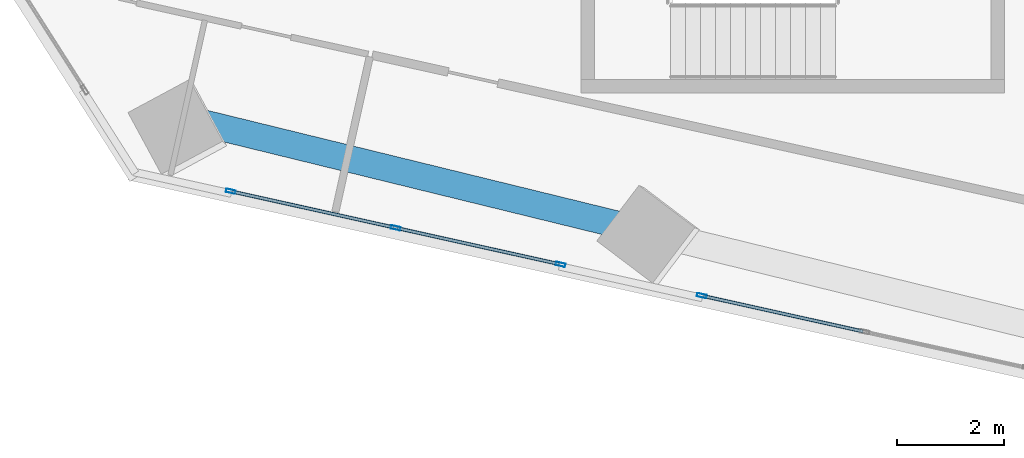
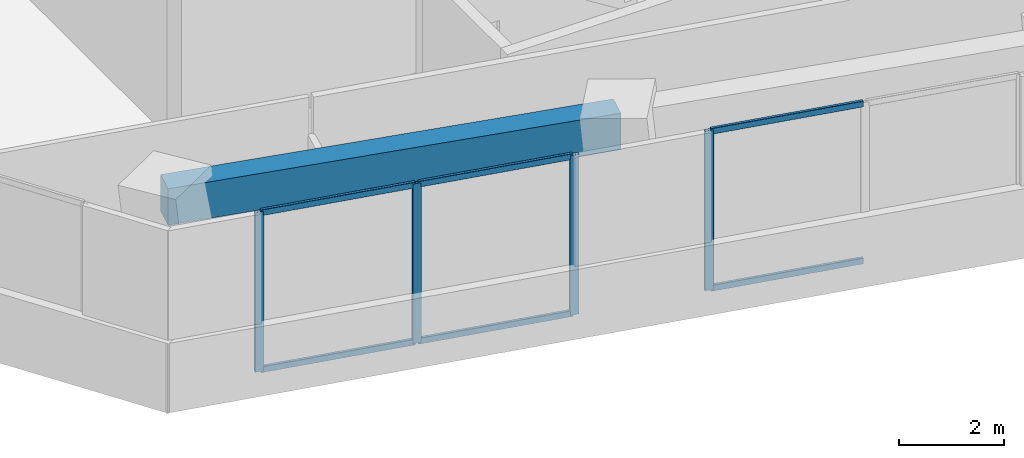
# One storey, part 2 of 25: 10 members, 1 beam, 2 elements without a shape of their own.
"""IFC4 building model written with IfcOpenShell, lengths in metres."""

from ifc_helpers import new_model, si_unit, direction, frame, origin, origin_2d, place, context, subcontext, project, spatial, rectangle, hollow_rectangle, extrude, source, transform, mapped, material, material_profile, profile_set, type_object, element, aggregate, save


model = new_model("IFC4")

# Units and contexts
model_context = context("Model", 3, precision=1e-05, world=origin(), true_north=direction((0.0, 1.0)))
body_context = subcontext(model_context, "Body", "Model", "MODEL_VIEW")
ifc_project = project(units=[si_unit("LENGTHUNIT", "METRE"), si_unit("AREAUNIT", "SQUARE_METRE"), si_unit("VOLUMEUNIT", "CUBIC_METRE"), si_unit("PLANEANGLEUNIT", "RADIAN"), si_unit("MASSUNIT", "GRAM", prefix="KILO")], contexts=[model_context])

# Site, building, storey
site_placement = place(None, origin())
site = spatial("IfcSite", under=ifc_project, at=site_placement, CompositionType="ELEMENT")
building_placement = place(site_placement, origin())
building = spatial("IfcBuilding", under=site, at=building_placement, Name="Torre Montelarca", CompositionType="ELEMENT")
storey_placement = place(building_placement, frame((0.0, 0.0, 91.60009765625)))
storey = spatial("IfcBuildingStorey", under=building, at=storey_placement, Name="L20", CompositionType="ELEMENT", Elevation=91.60009765625)

# Beam
ifc_material_1 = material(Name="Concrete C55/67", Category="concrete")
ifc_material_profile_1 = material_profile(ifc_material_1, rectangle(XDim=0.5, YDim=0.85009765625, at=origin_2d()), Name="RCB500X850", Category="concrete")
ifc_profile_set_1 = profile_set([ifc_material_profile_1], Name="Concrete C55/67")
beam_type = type_object("IfcBeamType", Name="BM-SP-RC850-EXT", PredefinedType="SPANDREL", material=ifc_profile_set_1)
shared_shape_1 = source(origin(), body_context, "Body", "SweptSolid", [
    extrude(rectangle(XDim=0.5, YDim=0.85009765625, at=origin_2d()), origin(), (0.0, 0.0, 1.0), 9.0),
])
beam_placement = place(storey_placement, frame((5.27001953125, 18.263916015625, 3.534912109375), z_axis=(0.97134308347, -0.237681749815, 0.0), x_axis=(0.237681749815, 0.97134308347, 0.0)))
element("IfcBeam", 1, at=beam_placement, inside=storey, type_object=beam_type, Name="L20 Grid Girder X 9.0-18.0 at Y=14.8", PredefinedType="SPANDREL", context=body_context, shape_type="MappedRepresentation", body=[
    mapped(shared_shape_1, transform((0.0, 0.0, 0.0), scale=1.0)),
])

# Curtain wall, members
ifc_material_2 = material(Name="Insulated low-E laminated glass", Category="glass")
curtain_wall_type = type_object("IfcCurtainWallType", Name="CW-SYS-Z1", PredefinedType="USERDEFINED", material=ifc_material_2)
curtain_wall_1_placement = place(storey_placement, origin())
curtain_wall_1 = element("IfcCurtainWall", 2, at=curtain_wall_1_placement, inside=storey, type_object=curtain_wall_type, Name="L20 Curtain Wall Run CW-T3-L20-E01-B1", ObjectType="UNITISED GLAZING", PredefinedType="USERDEFINED")
ifc_material_3 = material(Name="Anodised aluminium AA 6063-T6", Category="aluminium")
ifc_material_profile_2 = material_profile(ifc_material_3, hollow_rectangle(XDim=0.06494140625, YDim=0.139892578125, WallThickness=0.00390625, InnerFilletRadius=0.00390625, OuterFilletRadius=0.008056640625, at=origin_2d()), Name="ALU65X140X4", Category="aluminium")
ifc_profile_set_2 = profile_set([ifc_material_profile_2], Name="Anodised aluminium AA 6063-T6")
member_type_1 = type_object("IfcMemberType", Name="CWT-ALU140", PredefinedType="USERDEFINED", material=ifc_profile_set_2)
shared_shape_2 = source(origin(), body_context, "Body", "SweptSolid", [
    extrude(hollow_rectangle(XDim=0.06494140625, YDim=0.139892578125, WallThickness=0.00390625, InnerFilletRadius=0.00390625, OuterFilletRadius=0.008056640625, at=origin_2d()), origin(), (0.0, 0.0, 1.0), 3.08544921875),
])
member_1_placement = place(storey_placement, frame((6.5517578125, 16.80517578125, 0.032470703125), z_axis=(0.976300500585, -0.216419344229, 0.0), x_axis=(0.216419344229, 0.976300500585, 0.0)))
member_1 = element("IfcMember", 3, at=member_1_placement, type_object=member_type_1, Name="CW transom 1.1", ObjectType="TRANSOM", PredefinedType="USERDEFINED", context=body_context, shape_type="MappedRepresentation", body=[
    mapped(shared_shape_2, transform((0.0, 0.0, 0.0), scale=1.0)),
])
member_2_placement = place(storey_placement, frame((6.5517578125, 16.80517578125, 3.6875), z_axis=(0.976300500585, -0.216419344229, 0.0), x_axis=(0.216419344229, 0.976300500585, 0.0)))
member_2 = element("IfcMember", 4, at=member_2_placement, type_object=member_type_1, Name="CW transom 1.2", ObjectType="TRANSOM", PredefinedType="USERDEFINED", context=body_context, shape_type="MappedRepresentation", body=[
    mapped(shared_shape_2, transform((0.0, 0.0, 0.0), scale=1.0)),
])
member_3_placement = place(storey_placement, frame((9.62744140625, 16.123291015625, 0.032470703125), z_axis=(0.976300500585, -0.216419344229, 0.0), x_axis=(0.216419344229, 0.976300500585, 0.0)))
member_3 = element("IfcMember", 5, at=member_3_placement, type_object=member_type_1, Name="CW transom 2.1", ObjectType="TRANSOM", PredefinedType="USERDEFINED", context=body_context, shape_type="MappedRepresentation", body=[
    mapped(shared_shape_2, transform((0.0, 0.0, 0.0), scale=1.0)),
])
member_4_placement = place(storey_placement, frame((9.62744140625, 16.123291015625, 3.6875), z_axis=(0.976300500585, -0.216419344229, 0.0), x_axis=(0.216419344229, 0.976300500585, 0.0)))
member_4 = element("IfcMember", 6, at=member_4_placement, type_object=member_type_1, Name="CW transom 2.2", ObjectType="TRANSOM", PredefinedType="USERDEFINED", context=body_context, shape_type="MappedRepresentation", body=[
    mapped(shared_shape_2, transform((0.0, 0.0, 0.0), scale=1.0)),
])

curtain_wall_2_placement = place(storey_placement, origin())
curtain_wall_2 = element("IfcCurtainWall", 7, at=curtain_wall_2_placement, inside=storey, type_object=curtain_wall_type, Name="L20 Curtain Wall Run CW-T3-L20-E01-B2", ObjectType="UNITISED GLAZING", PredefinedType="USERDEFINED")
shared_shape_3 = source(origin(), body_context, "Body", "SweptSolid", [
    extrude(hollow_rectangle(XDim=0.06494140625, YDim=0.139892578125, WallThickness=0.00390625, InnerFilletRadius=0.00390625, OuterFilletRadius=0.008056640625, at=origin_2d()), origin(), (0.0, 0.0, 1.0), 3.046875),
])
member_5_placement = place(storey_placement, frame((15.338623046875, 14.857177734375, 0.032470703125), z_axis=(0.97629817048, -0.216429855422, 0.0), x_axis=(0.216429855422, 0.97629817048, 0.0)))
member_5 = element("IfcMember", 8, at=member_5_placement, type_object=member_type_1, Name="CW transom 1.1", ObjectType="TRANSOM", PredefinedType="USERDEFINED", context=body_context, shape_type="MappedRepresentation", body=[
    mapped(shared_shape_3, transform((0.0, 0.0, 0.0), scale=1.0)),
])
member_6_placement = place(storey_placement, frame((15.338623046875, 14.857177734375, 3.6875), z_axis=(0.97629817048, -0.216429855422, 0.0), x_axis=(0.216429855422, 0.97629817048, 0.0)))
member_6 = element("IfcMember", 9, at=member_6_placement, type_object=member_type_1, Name="CW transom 1.2", ObjectType="TRANSOM", PredefinedType="USERDEFINED", context=body_context, shape_type="MappedRepresentation", body=[
    mapped(shared_shape_3, transform((0.0, 0.0, 0.0), scale=1.0)),
])

# Member
ifc_material_profile_3 = material_profile(ifc_material_3, hollow_rectangle(XDim=0.06494140625, YDim=0.179931640625, WallThickness=0.00390625, InnerFilletRadius=0.00390625, OuterFilletRadius=0.008056640625, at=origin_2d()), Name="ALU65X180X4", Category="aluminium")
ifc_profile_set_3 = profile_set([ifc_material_profile_3], Name="Anodised aluminium AA 6063-T6")
member_type_2 = type_object("IfcMemberType", Name="CWM-ALU180", PredefinedType="MULLION", material=ifc_profile_set_3)
shared_shape_4 = source(origin(), body_context, "Body", "SweptSolid", [
    extrude(hollow_rectangle(XDim=0.06494140625, YDim=0.179931640625, WallThickness=0.00390625, InnerFilletRadius=0.00390625, OuterFilletRadius=0.008056640625, at=origin_2d()), origin(), (0.0, 0.0, 1.0), 3.719970703125),
])
member_7_placement = place(storey_placement, frame((6.52001953125, 16.812255859375, 0.0), z_axis=(0.0, 0.0, 1.0), x_axis=(0.216441412329, 0.976295608425, 0.0)))
member_7 = element("IfcMember", 10, at=member_7_placement, type_object=member_type_2, Name="CW mullion 1", PredefinedType="MULLION", context=body_context, shape_type="MappedRepresentation", body=[
    mapped(shared_shape_4, transform((0.0, 0.0, 0.0), scale=1.0)),
])

member_8_placement = place(storey_placement, frame((9.595703125, 16.13037109375, 0.0), z_axis=(0.0, 0.0, 1.0), x_axis=(0.216441412329, 0.976295608425, 0.0)))
member_8 = element("IfcMember", 11, at=member_8_placement, type_object=member_type_2, Name="CW mullion 2", PredefinedType="MULLION", context=body_context, shape_type="MappedRepresentation", body=[
    mapped(shared_shape_4, transform((0.0, 0.0, 0.0), scale=1.0)),
])

member_9_placement = place(storey_placement, frame((12.67138671875, 15.448486328125, 0.0), z_axis=(0.0, 0.0, 1.0), x_axis=(0.216441412329, 0.976295608425, 0.0)))
member_9 = element("IfcMember", 12, at=member_9_placement, type_object=member_type_2, Name="CW mullion 3", PredefinedType="MULLION", context=body_context, shape_type="MappedRepresentation", body=[
    mapped(shared_shape_4, transform((0.0, 0.0, 0.0), scale=1.0)),
])

aggregate(curtain_wall_1, [member_7, member_8, member_9, member_1, member_2, member_3, member_4])

member_10_placement = place(storey_placement, frame((15.306884765625, 14.8642578125, 0.0), z_axis=(0.0, 0.0, 1.0), x_axis=(0.216440465559, 0.97629581832, 0.0)))
member_10 = element("IfcMember", 13, at=member_10_placement, type_object=member_type_2, Name="CW mullion 1", PredefinedType="MULLION", context=body_context, shape_type="MappedRepresentation", body=[
    mapped(shared_shape_4, transform((0.0, 0.0, 0.0), scale=1.0)),
])

aggregate(curtain_wall_2, [member_10, member_5, member_6])

save(model, "model.ifc")
